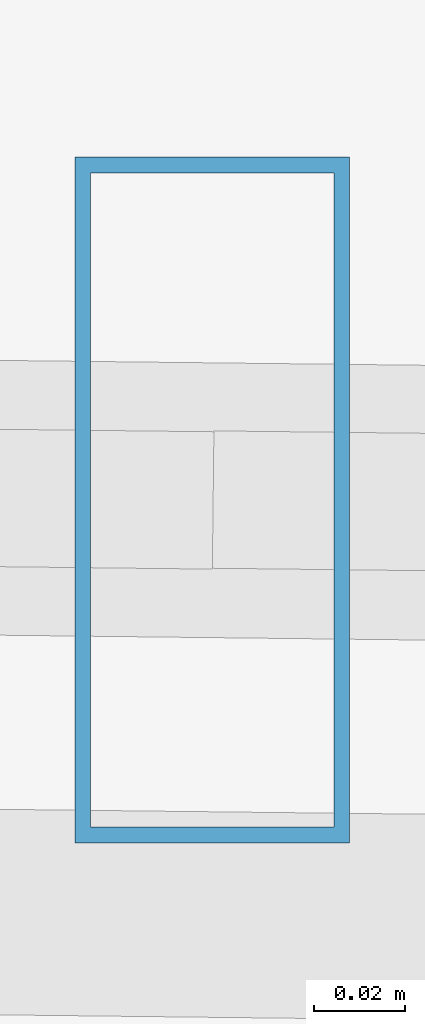
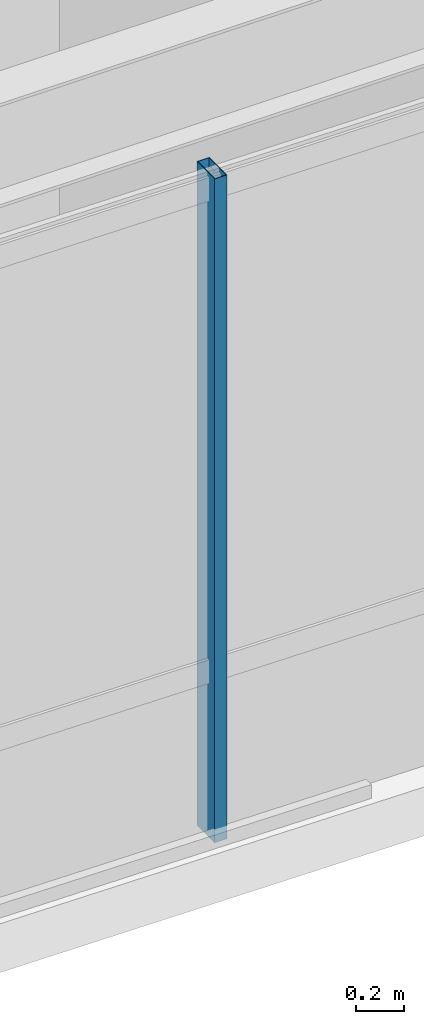
# One storey, part 18 of 40: 1 member, 1 element without a shape of its own.
"""IFC4 building model written with IfcOpenShell, lengths in metres."""

import ifcopenshell
import ifcopenshell.guid

model = None  # the IFC model being written
_history = None  # IfcOwnerHistory: only IFC2X3 demands one
_inside = {}  # id of a spatial element -> (the spatial element, [elements in it])
_under = {}  # id of a project, library or spatial element -> (it, [spatial elements below it])
_declared = {}  # id of a project -> (the project, [libraries it declares])
_typed = {}  # id of a type object -> (the type object, [elements of that type])
_made_of = {}  # id of a material, layer set ... -> (it, [elements and type objects made of it])


def new_model(schema):
    """Start an empty IFC model of exactly this schema.

    Asked for "IFC4X3", IfcOpenShell would pick the latest addendum, in which some entities
    have other attributes; the version numbers below select the first issue.
    IFC2X3 requires an IfcOwnerHistory on every rooted entity: one is made here for all.
    """
    global model, _history
    if schema == "IFC4X3":
        model = ifcopenshell.file(schema_version=(4, 3, 0, 0))
    else:
        model = ifcopenshell.file(schema=schema)
    _inside.clear()
    _under.clear()
    _declared.clear()
    _typed.clear()
    _made_of.clear()
    _history = None
    if model.schema == "IFC2X3":
        org = make("IfcOrganization", Name="unknown")
        user = make(
            "IfcPersonAndOrganization",
            ThePerson=make("IfcPerson", FamilyName="unknown"),
            TheOrganization=org,
        )
        app = make(
            "IfcApplication",
            ApplicationDeveloper=org,
            Version="unknown",
            ApplicationFullName="unknown",
            ApplicationIdentifier="unknown",
        )
        _history = make(
            "IfcOwnerHistory",
            OwningUser=user,
            OwningApplication=app,
            ChangeAction="ADDED",
            CreationDate=0,
        )
    return model


def make(cls, **values):
    """One entity of the class cls with the attributes given. An attribute that is None is left unset."""
    return model.create_entity(
        cls, **{name: value for name, value in values.items() if value is not None}
    )


def rooted(cls, **values):
    """An entity with a GlobalId (a new one), such as an element, a storey or a relation."""
    return make(cls, GlobalId=ifcopenshell.guid.new(), OwnerHistory=_history, **values)


def si_unit(unit_type, name, prefix=None):
    """IfcSIUnit, for example si_unit("LENGTHUNIT", "METRE", prefix="MILLI")."""
    return make("IfcSIUnit", UnitType=unit_type, Prefix=prefix, Name=name)


def assignment(units):
    """IfcUnitAssignment: the units of a project."""
    return None if units is None else make("IfcUnitAssignment", Units=units)


def point(xyz):
    """IfcCartesianPoint."""
    return None if xyz is None else make("IfcCartesianPoint", Coordinates=xyz)


def direction(xyz):
    """IfcDirection."""
    return None if xyz is None else make("IfcDirection", DirectionRatios=xyz)


def frame(location, z_axis=None, x_axis=None):
    """IfcAxis2Placement3D, a coordinate frame: its origin and axes. An axis left out is left unset."""
    return make(
        "IfcAxis2Placement3D",
        Location=point(location),
        Axis=direction(z_axis),
        RefDirection=direction(x_axis),
    )


def frame_2d(location, x_axis=None):
    """IfcAxis2Placement2D, a coordinate frame in the plane: its origin and x axis."""
    return make(
        "IfcAxis2Placement2D", Location=point(location), RefDirection=direction(x_axis)
    )


def origin():
    """The frame at (0, 0, 0) with its axes left unset."""
    return frame((0.0, 0.0, 0.0))


def origin_2d():
    """The frame at (0, 0) in the plane with its x axis left unset."""
    return frame_2d((0.0, 0.0))


def place(relative_to, where):
    """IfcLocalPlacement: puts the frame where relative to a parent placement (None: the world)."""
    return make(
        "IfcLocalPlacement", PlacementRelTo=relative_to, RelativePlacement=where
    )


def context(
    kind, dimensions, precision=None, world=None, true_north=None, identifier=None
):
    """IfcGeometricRepresentationContext, for example the 3D "Model" context."""
    return make(
        "IfcGeometricRepresentationContext",
        ContextIdentifier=identifier,
        ContextType=kind,
        CoordinateSpaceDimension=dimensions,
        Precision=precision,
        WorldCoordinateSystem=world,
        TrueNorth=true_north,
    )


def subcontext(parent, identifier, kind, view, scale=None):
    """IfcGeometricRepresentationSubContext, for example "Body" below "Model"."""
    return make(
        "IfcGeometricRepresentationSubContext",
        ContextIdentifier=identifier,
        ContextType=kind,
        ParentContext=parent,
        TargetScale=scale,
        TargetView=view,
    )


def project(units=None, contexts=None):
    """IfcProject with its units and contexts."""
    return rooted(
        "IfcProject",
        Name="project",
        RepresentationContexts=contexts,
        UnitsInContext=assignment(units),
    )


def spatial(cls, under=None, at=None, **own):
    """A site, building, storey or space (cls), placed at a placement, below another one or the project."""
    s = rooted(cls, ObjectPlacement=at, **own)
    if under is not None:
        _under.setdefault(under.id(), (under, []))[1].append(s)
    return s


def profile(cls, at=None, kind="AREA", **sizes):
    """A parametric profile (cls). Its sizes go by their IFC names, for example OverallWidth=200.0."""
    return make(cls, ProfileType=kind, Position=at, **sizes)


def hollow_rectangle(**sizes):
    """IfcRectangleHollowProfileDef."""
    return profile("IfcRectangleHollowProfileDef", **sizes)


def extrude(swept, where, along, depth):
    """IfcExtrudedAreaSolid: the profile swept, set in the frame where, extruded along a direction by depth."""
    return make(
        "IfcExtrudedAreaSolid",
        SweptArea=swept,
        Position=where,
        ExtrudedDirection=direction(along),
        Depth=depth,
    )


def shape(context_of_items, identifier, shape_type, items):
    """IfcShapeRepresentation: the items that make up one representation, for example the "Body"."""
    return make(
        "IfcShapeRepresentation",
        ContextOfItems=context_of_items,
        RepresentationIdentifier=identifier,
        RepresentationType=shape_type,
        Items=items,
    )


def source(mapping_origin, context_of_items, identifier, shape_type, items):
    """IfcRepresentationMap: a shape defined once, which mapped items show again and again."""
    return make(
        "IfcRepresentationMap",
        MappingOrigin=mapping_origin,
        MappedRepresentation=shape(context_of_items, identifier, shape_type, items),
    )


def transform(
    local_origin,
    x_axis=None,
    y_axis=None,
    z_axis=None,
    scale=None,
    scale2=None,
    scale3=None,
    uniform=True,
):
    """IfcCartesianTransformationOperator3D, or its non-uniform kind. x_axis, y_axis, z_axis: its Axis1, 2, 3."""
    if uniform:
        return make(
            "IfcCartesianTransformationOperator3D",
            Axis1=direction(x_axis),
            Axis2=direction(y_axis),
            LocalOrigin=point(local_origin),
            Scale=scale,
            Axis3=direction(z_axis),
        )
    return make(
        "IfcCartesianTransformationOperator3DnonUniform",
        Axis1=direction(x_axis),
        Axis2=direction(y_axis),
        LocalOrigin=point(local_origin),
        Scale=scale,
        Axis3=direction(z_axis),
        Scale2=scale2,
        Scale3=scale3,
    )


def mapped(mapping_source, mapping_target):
    """IfcMappedItem: shows the shape of a source again, moved by a transform."""
    return make(
        "IfcMappedItem", MappingSource=mapping_source, MappingTarget=mapping_target
    )


def material(Name=None, Category=None):
    """IfcMaterial."""
    return make("IfcMaterial", Name=Name, Category=Category)


def material_profile(
    of_material, cross_section, Name=None, Category=None, Priority=None
):
    """IfcMaterialProfile: a cross section and its material."""
    return make(
        "IfcMaterialProfile",
        Name=Name,
        Material=of_material,
        Profile=cross_section,
        Priority=Priority,
        Category=Category,
    )


def profile_set(profiles, Name=None, composite=None):
    """IfcMaterialProfileSet."""
    return make(
        "IfcMaterialProfileSet",
        Name=Name,
        MaterialProfiles=profiles,
        CompositeProfile=composite,
    )


def made_of(thing, what):
    """Note that an element or type object is made of a material, layer set ...; save() writes the relation."""
    if what is not None:
        _made_of.setdefault(what.id(), (what, []))[1].append(thing)
    return thing


def type_object(cls, material=None, **own):
    """A type object (cls), such as IfcWallType, which elements share."""
    return made_of(rooted(cls, **own), material)


def type_shapes(of_type, sources):
    """Give a type object the sources (RepresentationMaps) that its elements show as mapped items."""
    of_type.RepresentationMaps = sources


def element(
    cls,
    number,
    at=None,
    inside=None,
    cuts=None,
    type_object=None,
    material=None,
    context=None,
    identifier="Body",
    shape_type=None,
    held_by="IfcProductDefinitionShape",
    body=None,
    shapes=None,
    **own,
):
    """One element of the class cls, such as IfcWall. Its Tag is "e" and its number.

    at: its placement. inside: the storey or other place that contains it. cuts: it is an
    opening in that element (IfcRelVoidsElement). A single representation is given by context,
    identifier, shape_type and body (its items); several are given by shapes. held_by: the class
    of the entity that holds the representations. save() writes the other relations.
    """
    e = rooted(cls, Tag="e%d" % number, ObjectPlacement=at, **own)
    if body is not None:
        shapes = [shape(context, identifier, shape_type, body)]
    if shapes is not None:
        e.Representation = make(held_by, Representations=shapes)
    if inside is not None:
        _inside.setdefault(inside.id(), (inside, []))[1].append(e)
    if cuts is not None:
        rooted(
            "IfcRelVoidsElement", RelatingBuildingElement=cuts, RelatedOpeningElement=e
        )
    if type_object is not None:
        _typed.setdefault(type_object.id(), (type_object, []))[1].append(e)
    return made_of(e, material)


def aggregate(whole, parts):
    """IfcRelAggregates: a whole, such as a stair, and the parts it consists of."""
    return rooted("IfcRelAggregates", RelatingObject=whole, RelatedObjects=parts)


def save(model, path):
    """Write the relations noted so far, then the file.

    IfcRelAggregates (storeys below a building ...), IfcRelContainedInSpatialStructure (elements
    in a storey), IfcRelDefinesByType, IfcRelAssociatesMaterial and IfcRelDeclares: one each for
    every whole, place, type object, material and project.
    """
    for whole, parts in _under.values():
        aggregate(whole, parts)
    for where, things in _inside.values():
        rooted(
            "IfcRelContainedInSpatialStructure",
            RelatedElements=things,
            RelatingStructure=where,
        )
    for kind, things in _typed.values():
        rooted("IfcRelDefinesByType", RelatedObjects=things, RelatingType=kind)
    for what, things in _made_of.values():
        rooted("IfcRelAssociatesMaterial", RelatedObjects=things, RelatingMaterial=what)
    for by, libraries in _declared.values():
        rooted("IfcRelDeclares", RelatingContext=by, RelatedDefinitions=libraries)
    model.write(path)


model = new_model("IFC4")

# Units and contexts
model_context = context("Model", 3, precision=1e-05, world=origin(), true_north=direction((0.0, 1.0)))
body_context = subcontext(model_context, "Body", "Model", "MODEL_VIEW")
ifc_project = project(units=[si_unit("LENGTHUNIT", "METRE"), si_unit("AREAUNIT", "SQUARE_METRE"), si_unit("VOLUMEUNIT", "CUBIC_METRE"), si_unit("PLANEANGLEUNIT", "RADIAN"), si_unit("MASSUNIT", "GRAM", prefix="KILO")], contexts=[model_context])

# Site, building, storey
site_placement = place(None, origin())
site = spatial("IfcSite", under=ifc_project, at=site_placement, CompositionType="ELEMENT")
building_placement = place(site_placement, origin())
building = spatial("IfcBuilding", under=site, at=building_placement, Name="Caelisora Broadcast Tower", CompositionType="ELEMENT")
storey_placement = place(building_placement, frame((0.0, 0.0, 213.25)))
storey = spatial("IfcBuildingStorey", under=building, at=storey_placement, Name="L56", CompositionType="ELEMENT", Elevation=213.25)

# Curtain wall, member
ifc_material_1 = material(Name="Unitised Aluminium and Low-E Glass Curtain Wall", Category="glass")
curtain_wall_type = type_object("IfcCurtainWallType", Name="CW-Z4", PredefinedType="NOTDEFINED", material=ifc_material_1)
curtain_wall_placement = place(storey_placement, origin())
curtain_wall = element("IfcCurtainWall", 1, at=curtain_wall_placement, inside=storey, type_object=curtain_wall_type, Name="L56 curtain wall CW-Z4", PredefinedType="NOTDEFINED")
ifc_material_2 = material(Name="Aluminium 6063-T6 Anodised Terracotta Bronze", Category="aluminium")
ifc_material_profile = material_profile(ifc_material_2, hollow_rectangle(XDim=0.06005859375, YDim=0.14990234375, WallThickness=0.00341796875, at=origin_2d()), Name="Aluminium 6063-T6 Anodised Terracotta Bronze")
ifc_profile_set = profile_set([ifc_material_profile], Name="Aluminium 6063-T6 Anodised Terracotta Bronze")
member_type = type_object("IfcMemberType", Name="CWM-03", PredefinedType="MULLION", material=ifc_profile_set)
shared_shape = source(origin(), body_context, "Body", "SweptSolid", [
    extrude(hollow_rectangle(XDim=0.06005859375, YDim=0.14990234375, WallThickness=0.00341796875, at=origin_2d()), origin(), (0.0, 0.0, 1.0), 3.39990234375),
])
type_shapes(member_type, [shared_shape])
member_placement = place(storey_placement, frame((50.068603515625, 7.5927734375, 0.0), z_axis=(0.0, 0.0, 1.0), x_axis=(1.0, 0.0, 0.0)))
member = element("IfcMember", 2, at=member_placement, type_object=member_type, Name="L56-CW-B05 mullion #2", PredefinedType="MULLION", context=body_context, shape_type="MappedRepresentation", body=[
    mapped(shared_shape, transform((0.0, 0.0, 0.0), scale=1.0)),
])
aggregate(curtain_wall, [member])

save(model, "model.ifc")
